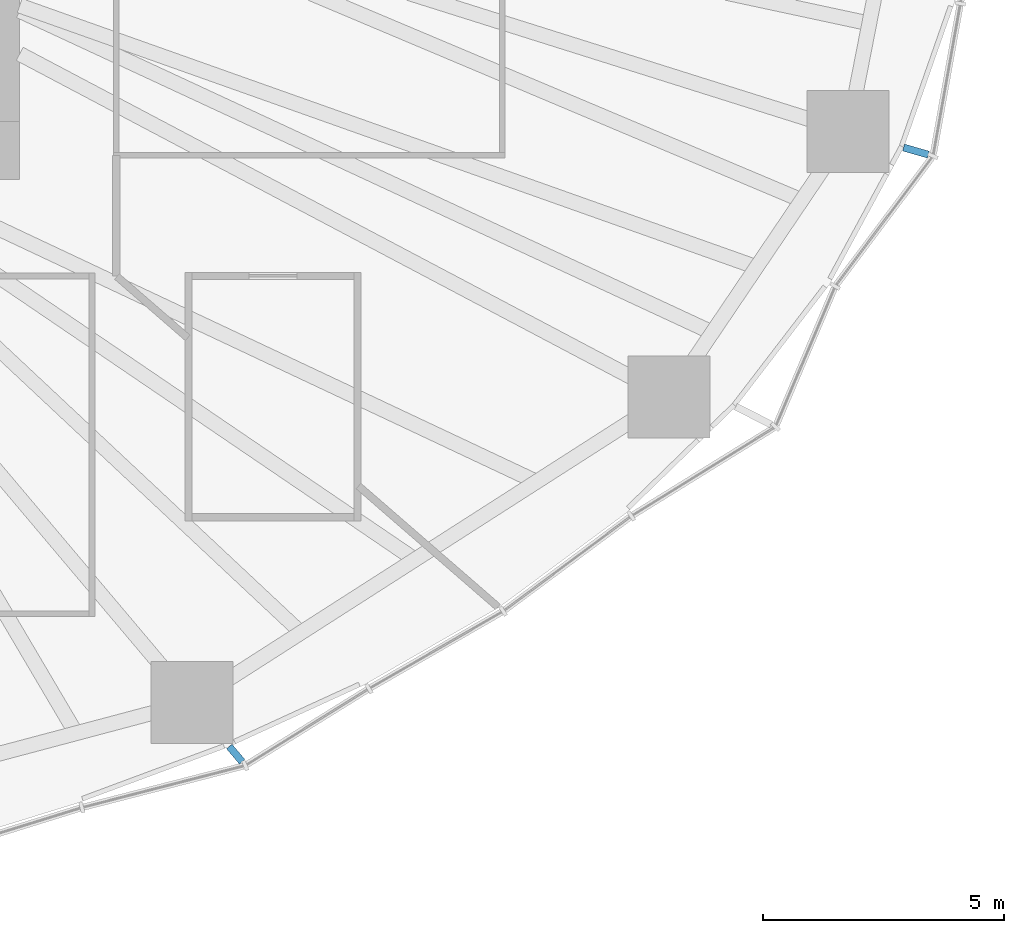
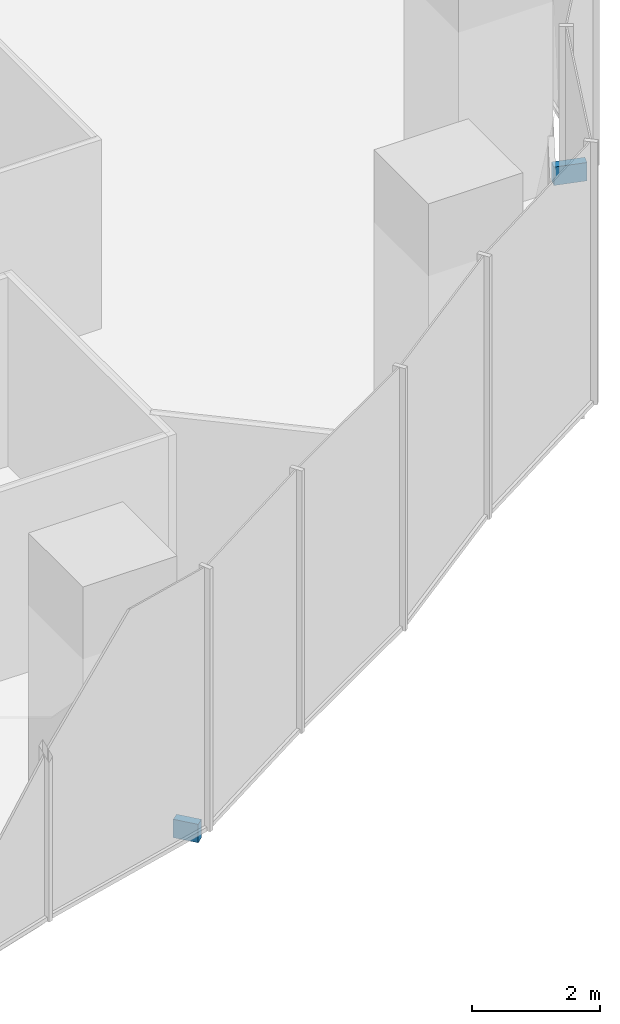
# One storey, part 14 of 20: 2 discrete accessories.
"""IFC4 building model written with IfcOpenShell, lengths in metres."""

from ifc_helpers import new_model, si_unit, direction, frame, origin, origin_2d, place, context, subcontext, project, spatial, rectangle, extrude, material, type_object, element, save


model = new_model("IFC4")

# Units and contexts
model_context = context("Model", 3, precision=1e-05, world=origin(), true_north=direction((0.0, 1.0)))
body_context = subcontext(model_context, "Body", "Model", "MODEL_VIEW")
ifc_project = project(units=[si_unit("LENGTHUNIT", "METRE"), si_unit("AREAUNIT", "SQUARE_METRE"), si_unit("VOLUMEUNIT", "CUBIC_METRE"), si_unit("PLANEANGLEUNIT", "RADIAN"), si_unit("MASSUNIT", "GRAM", prefix="KILO")], contexts=[model_context])

# Site, building, storey
site_placement = place(None, origin())
site = spatial("IfcSite", under=ifc_project, at=site_placement, CompositionType="ELEMENT")
building_placement = place(site_placement, origin())
building = spatial("IfcBuilding", under=site, at=building_placement, Name="Ghaith Harvest Tower", CompositionType="ELEMENT")
storey_placement = place(building_placement, frame((0.0, 0.0, 65.0)))
storey = spatial("IfcBuildingStorey", under=building, at=storey_placement, Name="L13", CompositionType="ELEMENT", Elevation=65.0)

# Discrete accessories
ifc_material_1 = material(Name="Stainless steel grade 1.4401", Category="steel")
discrete_accessory_type_1 = type_object("IfcDiscreteAccessoryType", Name="CURTAIN WALL BRACKET 415", PredefinedType="BRACKET", material=ifc_material_1)
discrete_accessory_1_placement = place(storey_placement, frame((18.475830078125, -21.90966796875, -0.25), z_axis=(0.0, 0.0, 1.0), x_axis=(0.644657240069, -0.764471741025, 0.0)))
element("IfcDiscreteAccessory", 1, at=discrete_accessory_1_placement, inside=storey, type_object=discrete_accessory_type_1, Name="CW-F bracket 1 bay 18 L13", PredefinedType="BRACKET", context=body_context, shape_type="SweptSolid", body=[
    extrude(rectangle(XDim=0.4150390625, YDim=0.14990234375, at=origin_2d()), origin(), (0.0, 0.0, 1.0), 0.35009765625),
])
ifc_material_2 = material(Name="Stainless steel grade 1.4401", Category="steel")
discrete_accessory_type_2 = type_object("IfcDiscreteAccessoryType", Name="CURTAIN WALL BRACKET 535", PredefinedType="BRACKET", material=ifc_material_2)
discrete_accessory_2_placement = place(storey_placement, frame((32.570556640625, -9.41357421875, -0.25), z_axis=(0.0, 0.0, 1.0), x_axis=(0.960680349932, -0.277656739976, 0.0)))
element("IfcDiscreteAccessory", 2, at=discrete_accessory_2_placement, inside=storey, type_object=discrete_accessory_type_2, Name="CW-F bracket 1 bay 20 L13", PredefinedType="BRACKET", context=body_context, shape_type="SweptSolid", body=[
    extrude(rectangle(XDim=0.534912109375, YDim=0.14990234375, at=origin_2d()), origin(), (0.0, 0.0, 1.0), 0.35009765625),
])

save(model, "model.ifc")
